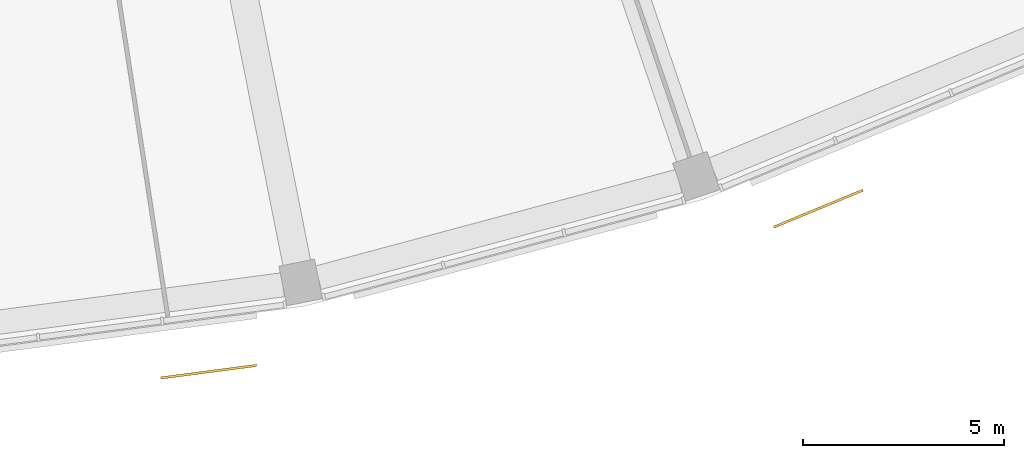
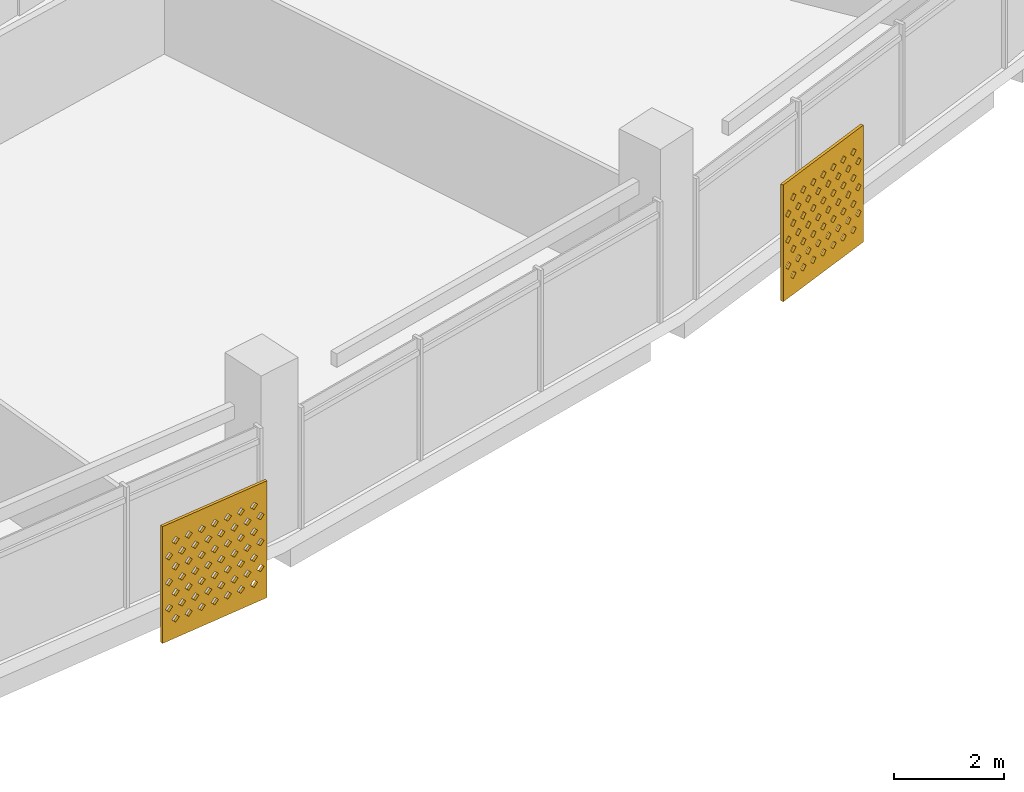
# One storey, part 26 of 28: 2 shading devices.
"""IFC4 building model written with IfcOpenShell, lengths in metres."""

from ifc_helpers import new_model, si_unit, direction, frame, origin, place, context, subcontext, project, spatial, polyline, outline, extrude, material, material_profile, profile_set, type_object, element, save


model = new_model("IFC4")

# Units and contexts
model_context = context("Model", 3, precision=1e-05, world=origin(), true_north=direction((0.0, 1.0)))
body_context = subcontext(model_context, "Body", "Model", "MODEL_VIEW")
ifc_project = project(units=[si_unit("LENGTHUNIT", "METRE"), si_unit("AREAUNIT", "SQUARE_METRE"), si_unit("VOLUMEUNIT", "CUBIC_METRE"), si_unit("PLANEANGLEUNIT", "RADIAN"), si_unit("MASSUNIT", "GRAM", prefix="KILO")], contexts=[model_context])

# Site, building, storey
site_placement = place(None, origin())
site = spatial("IfcSite", under=ifc_project, at=site_placement, CompositionType="ELEMENT")
building_placement = place(site_placement, origin())
building = spatial("IfcBuilding", under=site, at=building_placement, Name="Qamariyya Broadcast Tower", CompositionType="ELEMENT")
storey_placement = place(building_placement, frame((0.0, 0.0, 277.10009765625)))
storey = spatial("IfcBuildingStorey", under=building, at=storey_placement, Name="L67", CompositionType="ELEMENT", Elevation=277.10009765625)

# Shading devices
ifc_material = material(Name="Perforated glazed terracotta", Category="masonry")
ifc_material_profile = material_profile(ifc_material, outline(polyline([(-1.199951171875, -1.300048828125), (1.199951171875, -1.300048828125), (1.199951171875, 1.300048828125), (-1.199951171875, 1.300048828125), (-1.199951171875, -1.300048828125)]), holes=[polyline([(-0.81494140625, -0.86669921875), (-0.89990234375, -0.78173828125), (-0.985107421875, -0.86669921875), (-0.89990234375, -0.95166015625), (-0.81494140625, -0.86669921875)]), polyline([(-0.514892578125, -0.86669921875), (-0.60009765625, -0.78173828125), (-0.68505859375, -0.86669921875), (-0.60009765625, -0.95166015625), (-0.514892578125, -0.86669921875)]), polyline([(-0.215087890625, -0.86669921875), (-0.300048828125, -0.78173828125), (-0.385009765625, -0.86669921875), (-0.300048828125, -0.95166015625), (-0.215087890625, -0.86669921875)]), polyline([(0.0849609375, -0.86669921875), (0.0, -0.78173828125), (-0.0849609375, -0.86669921875), (0.0, -0.95166015625), (0.0849609375, -0.86669921875)]), polyline([(0.385009765625, -0.86669921875), (0.300048828125, -0.78173828125), (0.215087890625, -0.86669921875), (0.300048828125, -0.95166015625), (0.385009765625, -0.86669921875)]), polyline([(0.68505859375, -0.86669921875), (0.60009765625, -0.78173828125), (0.514892578125, -0.86669921875), (0.60009765625, -0.95166015625), (0.68505859375, -0.86669921875)]), polyline([(0.985107421875, -0.86669921875), (0.89990234375, -0.78173828125), (0.81494140625, -0.86669921875), (0.89990234375, -0.95166015625), (0.985107421875, -0.86669921875)]), polyline([(-0.965087890625, -0.577880859375), (-1.050048828125, -0.49267578125), (-1.135009765625, -0.577880859375), (-1.050048828125, -0.662841796875), (-0.965087890625, -0.577880859375)]), polyline([(-0.6650390625, -0.577880859375), (-0.75, -0.49267578125), (-0.8349609375, -0.577880859375), (-0.75, -0.662841796875), (-0.6650390625, -0.577880859375)]), polyline([(-0.364990234375, -0.577880859375), (-0.449951171875, -0.49267578125), (-0.534912109375, -0.577880859375), (-0.449951171875, -0.662841796875), (-0.364990234375, -0.577880859375)]), polyline([(-0.06494140625, -0.577880859375), (-0.14990234375, -0.49267578125), (-0.235107421875, -0.577880859375), (-0.14990234375, -0.662841796875), (-0.06494140625, -0.577880859375)]), polyline([(0.235107421875, -0.577880859375), (0.14990234375, -0.49267578125), (0.06494140625, -0.577880859375), (0.14990234375, -0.662841796875), (0.235107421875, -0.577880859375)]), polyline([(0.534912109375, -0.577880859375), (0.449951171875, -0.49267578125), (0.364990234375, -0.577880859375), (0.449951171875, -0.662841796875), (0.534912109375, -0.577880859375)]), polyline([(0.8349609375, -0.577880859375), (0.75, -0.49267578125), (0.6650390625, -0.577880859375), (0.75, -0.662841796875), (0.8349609375, -0.577880859375)]), polyline([(1.135009765625, -0.577880859375), (1.050048828125, -0.49267578125), (0.965087890625, -0.577880859375), (1.050048828125, -0.662841796875), (1.135009765625, -0.577880859375)]), polyline([(-0.81494140625, -0.288818359375), (-0.89990234375, -0.203857421875), (-0.985107421875, -0.288818359375), (-0.89990234375, -0.373779296875), (-0.81494140625, -0.288818359375)]), polyline([(-0.514892578125, -0.288818359375), (-0.60009765625, -0.203857421875), (-0.68505859375, -0.288818359375), (-0.60009765625, -0.373779296875), (-0.514892578125, -0.288818359375)]), polyline([(-0.215087890625, -0.288818359375), (-0.300048828125, -0.203857421875), (-0.385009765625, -0.288818359375), (-0.300048828125, -0.373779296875), (-0.215087890625, -0.288818359375)]), polyline([(0.0849609375, -0.288818359375), (0.0, -0.203857421875), (-0.0849609375, -0.288818359375), (0.0, -0.373779296875), (0.0849609375, -0.288818359375)]), polyline([(0.385009765625, -0.288818359375), (0.300048828125, -0.203857421875), (0.215087890625, -0.288818359375), (0.300048828125, -0.373779296875), (0.385009765625, -0.288818359375)]), polyline([(0.68505859375, -0.288818359375), (0.60009765625, -0.203857421875), (0.514892578125, -0.288818359375), (0.60009765625, -0.373779296875), (0.68505859375, -0.288818359375)]), polyline([(0.985107421875, -0.288818359375), (0.89990234375, -0.203857421875), (0.81494140625, -0.288818359375), (0.89990234375, -0.373779296875), (0.985107421875, -0.288818359375)]), polyline([(-0.965087890625, 0.0), (-1.050048828125, 0.0849609375), (-1.135009765625, 0.0), (-1.050048828125, -0.0849609375), (-0.965087890625, 0.0)]), polyline([(-0.6650390625, 0.0), (-0.75, 0.0849609375), (-0.8349609375, 0.0), (-0.75, -0.0849609375), (-0.6650390625, 0.0)]), polyline([(-0.364990234375, 0.0), (-0.449951171875, 0.0849609375), (-0.534912109375, 0.0), (-0.449951171875, -0.0849609375), (-0.364990234375, 0.0)]), polyline([(-0.06494140625, 0.0), (-0.14990234375, 0.0849609375), (-0.235107421875, 0.0), (-0.14990234375, -0.0849609375), (-0.06494140625, 0.0)]), polyline([(0.235107421875, 0.0), (0.14990234375, 0.0849609375), (0.06494140625, 0.0), (0.14990234375, -0.0849609375), (0.235107421875, 0.0)]), polyline([(0.534912109375, 0.0), (0.449951171875, 0.0849609375), (0.364990234375, 0.0), (0.449951171875, -0.0849609375), (0.534912109375, 0.0)]), polyline([(0.8349609375, 0.0), (0.75, 0.0849609375), (0.6650390625, 0.0), (0.75, -0.0849609375), (0.8349609375, 0.0)]), polyline([(1.135009765625, 0.0), (1.050048828125, 0.0849609375), (0.965087890625, 0.0), (1.050048828125, -0.0849609375), (1.135009765625, 0.0)]), polyline([(-0.81494140625, 0.288818359375), (-0.89990234375, 0.373779296875), (-0.985107421875, 0.288818359375), (-0.89990234375, 0.203857421875), (-0.81494140625, 0.288818359375)]), polyline([(-0.514892578125, 0.288818359375), (-0.60009765625, 0.373779296875), (-0.68505859375, 0.288818359375), (-0.60009765625, 0.203857421875), (-0.514892578125, 0.288818359375)]), polyline([(-0.215087890625, 0.288818359375), (-0.300048828125, 0.373779296875), (-0.385009765625, 0.288818359375), (-0.300048828125, 0.203857421875), (-0.215087890625, 0.288818359375)]), polyline([(0.0849609375, 0.288818359375), (0.0, 0.373779296875), (-0.0849609375, 0.288818359375), (0.0, 0.203857421875), (0.0849609375, 0.288818359375)]), polyline([(0.385009765625, 0.288818359375), (0.300048828125, 0.373779296875), (0.215087890625, 0.288818359375), (0.300048828125, 0.203857421875), (0.385009765625, 0.288818359375)]), polyline([(0.68505859375, 0.288818359375), (0.60009765625, 0.373779296875), (0.514892578125, 0.288818359375), (0.60009765625, 0.203857421875), (0.68505859375, 0.288818359375)]), polyline([(0.985107421875, 0.288818359375), (0.89990234375, 0.373779296875), (0.81494140625, 0.288818359375), (0.89990234375, 0.203857421875), (0.985107421875, 0.288818359375)]), polyline([(-0.965087890625, 0.577880859375), (-1.050048828125, 0.662841796875), (-1.135009765625, 0.577880859375), (-1.050048828125, 0.49267578125), (-0.965087890625, 0.577880859375)]), polyline([(-0.6650390625, 0.577880859375), (-0.75, 0.662841796875), (-0.8349609375, 0.577880859375), (-0.75, 0.49267578125), (-0.6650390625, 0.577880859375)]), polyline([(-0.364990234375, 0.577880859375), (-0.449951171875, 0.662841796875), (-0.534912109375, 0.577880859375), (-0.449951171875, 0.49267578125), (-0.364990234375, 0.577880859375)]), polyline([(-0.06494140625, 0.577880859375), (-0.14990234375, 0.662841796875), (-0.235107421875, 0.577880859375), (-0.14990234375, 0.49267578125), (-0.06494140625, 0.577880859375)]), polyline([(0.235107421875, 0.577880859375), (0.14990234375, 0.662841796875), (0.06494140625, 0.577880859375), (0.14990234375, 0.49267578125), (0.235107421875, 0.577880859375)]), polyline([(0.534912109375, 0.577880859375), (0.449951171875, 0.662841796875), (0.364990234375, 0.577880859375), (0.449951171875, 0.49267578125), (0.534912109375, 0.577880859375)]), polyline([(0.8349609375, 0.577880859375), (0.75, 0.662841796875), (0.6650390625, 0.577880859375), (0.75, 0.49267578125), (0.8349609375, 0.577880859375)]), polyline([(1.135009765625, 0.577880859375), (1.050048828125, 0.662841796875), (0.965087890625, 0.577880859375), (1.050048828125, 0.49267578125), (1.135009765625, 0.577880859375)]), polyline([(-0.81494140625, 0.86669921875), (-0.89990234375, 0.95166015625), (-0.985107421875, 0.86669921875), (-0.89990234375, 0.78173828125), (-0.81494140625, 0.86669921875)]), polyline([(-0.514892578125, 0.86669921875), (-0.60009765625, 0.95166015625), (-0.68505859375, 0.86669921875), (-0.60009765625, 0.78173828125), (-0.514892578125, 0.86669921875)]), polyline([(-0.215087890625, 0.86669921875), (-0.300048828125, 0.95166015625), (-0.385009765625, 0.86669921875), (-0.300048828125, 0.78173828125), (-0.215087890625, 0.86669921875)]), polyline([(0.0849609375, 0.86669921875), (0.0, 0.95166015625), (-0.0849609375, 0.86669921875), (0.0, 0.78173828125), (0.0849609375, 0.86669921875)]), polyline([(0.385009765625, 0.86669921875), (0.300048828125, 0.95166015625), (0.215087890625, 0.86669921875), (0.300048828125, 0.78173828125), (0.385009765625, 0.86669921875)]), polyline([(0.68505859375, 0.86669921875), (0.60009765625, 0.95166015625), (0.514892578125, 0.86669921875), (0.60009765625, 0.78173828125), (0.68505859375, 0.86669921875)]), polyline([(0.985107421875, 0.86669921875), (0.89990234375, 0.95166015625), (0.81494140625, 0.86669921875), (0.89990234375, 0.78173828125), (0.985107421875, 0.86669921875)])]))
ifc_profile_set = profile_set([ifc_material_profile], Name="Perforated glazed terracotta")
shading_device_type = type_object("IfcShadingDeviceType", Name="Perforated terracotta screen 2400 x 2600", PredefinedType="USERDEFINED", material=ifc_profile_set)
shading_device_1_placement = place(storey_placement, frame((12.880126953125, -78.442138671875, 1.349853515625), z_axis=(0.1300340368, -0.991509530601, 0.0), x_axis=(0.991509530601, 0.1300340368, 0.0)))
element("IfcShadingDevice", 1, at=shading_device_1_placement, inside=storey, type_object=shading_device_type, Name="e-scr-L67-08-2", ObjectType="SCREEN", PredefinedType="USERDEFINED", context=body_context, shape_type="SweptSolid", body=[
    extrude(outline(polyline([(-1.199951171875, -1.300048828125), (1.199951171875, -1.300048828125), (1.199951171875, 1.300048828125), (-1.199951171875, 1.300048828125), (-1.199951171875, -1.300048828125)]), holes=[polyline([(-0.81494140625, -0.86669921875), (-0.89990234375, -0.78173828125), (-0.985107421875, -0.86669921875), (-0.89990234375, -0.95166015625), (-0.81494140625, -0.86669921875)]), polyline([(-0.514892578125, -0.86669921875), (-0.60009765625, -0.78173828125), (-0.68505859375, -0.86669921875), (-0.60009765625, -0.95166015625), (-0.514892578125, -0.86669921875)]), polyline([(-0.215087890625, -0.86669921875), (-0.300048828125, -0.78173828125), (-0.385009765625, -0.86669921875), (-0.300048828125, -0.95166015625), (-0.215087890625, -0.86669921875)]), polyline([(0.0849609375, -0.86669921875), (0.0, -0.78173828125), (-0.0849609375, -0.86669921875), (0.0, -0.95166015625), (0.0849609375, -0.86669921875)]), polyline([(0.385009765625, -0.86669921875), (0.300048828125, -0.78173828125), (0.215087890625, -0.86669921875), (0.300048828125, -0.95166015625), (0.385009765625, -0.86669921875)]), polyline([(0.68505859375, -0.86669921875), (0.60009765625, -0.78173828125), (0.514892578125, -0.86669921875), (0.60009765625, -0.95166015625), (0.68505859375, -0.86669921875)]), polyline([(0.985107421875, -0.86669921875), (0.89990234375, -0.78173828125), (0.81494140625, -0.86669921875), (0.89990234375, -0.95166015625), (0.985107421875, -0.86669921875)]), polyline([(-0.965087890625, -0.577880859375), (-1.050048828125, -0.49267578125), (-1.135009765625, -0.577880859375), (-1.050048828125, -0.662841796875), (-0.965087890625, -0.577880859375)]), polyline([(-0.6650390625, -0.577880859375), (-0.75, -0.49267578125), (-0.8349609375, -0.577880859375), (-0.75, -0.662841796875), (-0.6650390625, -0.577880859375)]), polyline([(-0.364990234375, -0.577880859375), (-0.449951171875, -0.49267578125), (-0.534912109375, -0.577880859375), (-0.449951171875, -0.662841796875), (-0.364990234375, -0.577880859375)]), polyline([(-0.06494140625, -0.577880859375), (-0.14990234375, -0.49267578125), (-0.235107421875, -0.577880859375), (-0.14990234375, -0.662841796875), (-0.06494140625, -0.577880859375)]), polyline([(0.235107421875, -0.577880859375), (0.14990234375, -0.49267578125), (0.06494140625, -0.577880859375), (0.14990234375, -0.662841796875), (0.235107421875, -0.577880859375)]), polyline([(0.534912109375, -0.577880859375), (0.449951171875, -0.49267578125), (0.364990234375, -0.577880859375), (0.449951171875, -0.662841796875), (0.534912109375, -0.577880859375)]), polyline([(0.8349609375, -0.577880859375), (0.75, -0.49267578125), (0.6650390625, -0.577880859375), (0.75, -0.662841796875), (0.8349609375, -0.577880859375)]), polyline([(1.135009765625, -0.577880859375), (1.050048828125, -0.49267578125), (0.965087890625, -0.577880859375), (1.050048828125, -0.662841796875), (1.135009765625, -0.577880859375)]), polyline([(-0.81494140625, -0.288818359375), (-0.89990234375, -0.203857421875), (-0.985107421875, -0.288818359375), (-0.89990234375, -0.373779296875), (-0.81494140625, -0.288818359375)]), polyline([(-0.514892578125, -0.288818359375), (-0.60009765625, -0.203857421875), (-0.68505859375, -0.288818359375), (-0.60009765625, -0.373779296875), (-0.514892578125, -0.288818359375)]), polyline([(-0.215087890625, -0.288818359375), (-0.300048828125, -0.203857421875), (-0.385009765625, -0.288818359375), (-0.300048828125, -0.373779296875), (-0.215087890625, -0.288818359375)]), polyline([(0.0849609375, -0.288818359375), (0.0, -0.203857421875), (-0.0849609375, -0.288818359375), (0.0, -0.373779296875), (0.0849609375, -0.288818359375)]), polyline([(0.385009765625, -0.288818359375), (0.300048828125, -0.203857421875), (0.215087890625, -0.288818359375), (0.300048828125, -0.373779296875), (0.385009765625, -0.288818359375)]), polyline([(0.68505859375, -0.288818359375), (0.60009765625, -0.203857421875), (0.514892578125, -0.288818359375), (0.60009765625, -0.373779296875), (0.68505859375, -0.288818359375)]), polyline([(0.985107421875, -0.288818359375), (0.89990234375, -0.203857421875), (0.81494140625, -0.288818359375), (0.89990234375, -0.373779296875), (0.985107421875, -0.288818359375)]), polyline([(-0.965087890625, 0.0), (-1.050048828125, 0.0849609375), (-1.135009765625, 0.0), (-1.050048828125, -0.0849609375), (-0.965087890625, 0.0)]), polyline([(-0.6650390625, 0.0), (-0.75, 0.0849609375), (-0.8349609375, 0.0), (-0.75, -0.0849609375), (-0.6650390625, 0.0)]), polyline([(-0.364990234375, 0.0), (-0.449951171875, 0.0849609375), (-0.534912109375, 0.0), (-0.449951171875, -0.0849609375), (-0.364990234375, 0.0)]), polyline([(-0.06494140625, 0.0), (-0.14990234375, 0.0849609375), (-0.235107421875, 0.0), (-0.14990234375, -0.0849609375), (-0.06494140625, 0.0)]), polyline([(0.235107421875, 0.0), (0.14990234375, 0.0849609375), (0.06494140625, 0.0), (0.14990234375, -0.0849609375), (0.235107421875, 0.0)]), polyline([(0.534912109375, 0.0), (0.449951171875, 0.0849609375), (0.364990234375, 0.0), (0.449951171875, -0.0849609375), (0.534912109375, 0.0)]), polyline([(0.8349609375, 0.0), (0.75, 0.0849609375), (0.6650390625, 0.0), (0.75, -0.0849609375), (0.8349609375, 0.0)]), polyline([(1.135009765625, 0.0), (1.050048828125, 0.0849609375), (0.965087890625, 0.0), (1.050048828125, -0.0849609375), (1.135009765625, 0.0)]), polyline([(-0.81494140625, 0.288818359375), (-0.89990234375, 0.373779296875), (-0.985107421875, 0.288818359375), (-0.89990234375, 0.203857421875), (-0.81494140625, 0.288818359375)]), polyline([(-0.514892578125, 0.288818359375), (-0.60009765625, 0.373779296875), (-0.68505859375, 0.288818359375), (-0.60009765625, 0.203857421875), (-0.514892578125, 0.288818359375)]), polyline([(-0.215087890625, 0.288818359375), (-0.300048828125, 0.373779296875), (-0.385009765625, 0.288818359375), (-0.300048828125, 0.203857421875), (-0.215087890625, 0.288818359375)]), polyline([(0.0849609375, 0.288818359375), (0.0, 0.373779296875), (-0.0849609375, 0.288818359375), (0.0, 0.203857421875), (0.0849609375, 0.288818359375)]), polyline([(0.385009765625, 0.288818359375), (0.300048828125, 0.373779296875), (0.215087890625, 0.288818359375), (0.300048828125, 0.203857421875), (0.385009765625, 0.288818359375)]), polyline([(0.68505859375, 0.288818359375), (0.60009765625, 0.373779296875), (0.514892578125, 0.288818359375), (0.60009765625, 0.203857421875), (0.68505859375, 0.288818359375)]), polyline([(0.985107421875, 0.288818359375), (0.89990234375, 0.373779296875), (0.81494140625, 0.288818359375), (0.89990234375, 0.203857421875), (0.985107421875, 0.288818359375)]), polyline([(-0.965087890625, 0.577880859375), (-1.050048828125, 0.662841796875), (-1.135009765625, 0.577880859375), (-1.050048828125, 0.49267578125), (-0.965087890625, 0.577880859375)]), polyline([(-0.6650390625, 0.577880859375), (-0.75, 0.662841796875), (-0.8349609375, 0.577880859375), (-0.75, 0.49267578125), (-0.6650390625, 0.577880859375)]), polyline([(-0.364990234375, 0.577880859375), (-0.449951171875, 0.662841796875), (-0.534912109375, 0.577880859375), (-0.449951171875, 0.49267578125), (-0.364990234375, 0.577880859375)]), polyline([(-0.06494140625, 0.577880859375), (-0.14990234375, 0.662841796875), (-0.235107421875, 0.577880859375), (-0.14990234375, 0.49267578125), (-0.06494140625, 0.577880859375)]), polyline([(0.235107421875, 0.577880859375), (0.14990234375, 0.662841796875), (0.06494140625, 0.577880859375), (0.14990234375, 0.49267578125), (0.235107421875, 0.577880859375)]), polyline([(0.534912109375, 0.577880859375), (0.449951171875, 0.662841796875), (0.364990234375, 0.577880859375), (0.449951171875, 0.49267578125), (0.534912109375, 0.577880859375)]), polyline([(0.8349609375, 0.577880859375), (0.75, 0.662841796875), (0.6650390625, 0.577880859375), (0.75, 0.49267578125), (0.8349609375, 0.577880859375)]), polyline([(1.135009765625, 0.577880859375), (1.050048828125, 0.662841796875), (0.965087890625, 0.577880859375), (1.050048828125, 0.49267578125), (1.135009765625, 0.577880859375)]), polyline([(-0.81494140625, 0.86669921875), (-0.89990234375, 0.95166015625), (-0.985107421875, 0.86669921875), (-0.89990234375, 0.78173828125), (-0.81494140625, 0.86669921875)]), polyline([(-0.514892578125, 0.86669921875), (-0.60009765625, 0.95166015625), (-0.68505859375, 0.86669921875), (-0.60009765625, 0.78173828125), (-0.514892578125, 0.86669921875)]), polyline([(-0.215087890625, 0.86669921875), (-0.300048828125, 0.95166015625), (-0.385009765625, 0.86669921875), (-0.300048828125, 0.78173828125), (-0.215087890625, 0.86669921875)]), polyline([(0.0849609375, 0.86669921875), (0.0, 0.95166015625), (-0.0849609375, 0.86669921875), (0.0, 0.78173828125), (0.0849609375, 0.86669921875)]), polyline([(0.385009765625, 0.86669921875), (0.300048828125, 0.95166015625), (0.215087890625, 0.86669921875), (0.300048828125, 0.78173828125), (0.385009765625, 0.86669921875)]), polyline([(0.68505859375, 0.86669921875), (0.60009765625, 0.95166015625), (0.514892578125, 0.86669921875), (0.60009765625, 0.78173828125), (0.68505859375, 0.86669921875)]), polyline([(0.985107421875, 0.86669921875), (0.89990234375, 0.95166015625), (0.81494140625, 0.86669921875), (0.89990234375, 0.78173828125), (0.985107421875, 0.86669921875)])]), origin(), (0.0, 0.0, 1.0), 0.06005859375),
])
shading_device_2_placement = place(storey_placement, frame((28.00927734375, -74.396728515625, 1.349853515625), z_axis=(0.382591441855, -0.923917630863, 0.0), x_axis=(0.923917630863, 0.382591441855, 0.0)))
element("IfcShadingDevice", 2, at=shading_device_2_placement, inside=storey, type_object=shading_device_type, Name="e-scr-L67-10-0", ObjectType="SCREEN", PredefinedType="USERDEFINED", context=body_context, shape_type="SweptSolid", body=[
    extrude(outline(polyline([(-1.199951171875, -1.300048828125), (1.199951171875, -1.300048828125), (1.199951171875, 1.300048828125), (-1.199951171875, 1.300048828125), (-1.199951171875, -1.300048828125)]), holes=[polyline([(-0.81494140625, -0.86669921875), (-0.89990234375, -0.78173828125), (-0.985107421875, -0.86669921875), (-0.89990234375, -0.95166015625), (-0.81494140625, -0.86669921875)]), polyline([(-0.514892578125, -0.86669921875), (-0.60009765625, -0.78173828125), (-0.68505859375, -0.86669921875), (-0.60009765625, -0.95166015625), (-0.514892578125, -0.86669921875)]), polyline([(-0.215087890625, -0.86669921875), (-0.300048828125, -0.78173828125), (-0.385009765625, -0.86669921875), (-0.300048828125, -0.95166015625), (-0.215087890625, -0.86669921875)]), polyline([(0.0849609375, -0.86669921875), (0.0, -0.78173828125), (-0.0849609375, -0.86669921875), (0.0, -0.95166015625), (0.0849609375, -0.86669921875)]), polyline([(0.385009765625, -0.86669921875), (0.300048828125, -0.78173828125), (0.215087890625, -0.86669921875), (0.300048828125, -0.95166015625), (0.385009765625, -0.86669921875)]), polyline([(0.68505859375, -0.86669921875), (0.60009765625, -0.78173828125), (0.514892578125, -0.86669921875), (0.60009765625, -0.95166015625), (0.68505859375, -0.86669921875)]), polyline([(0.985107421875, -0.86669921875), (0.89990234375, -0.78173828125), (0.81494140625, -0.86669921875), (0.89990234375, -0.95166015625), (0.985107421875, -0.86669921875)]), polyline([(-0.965087890625, -0.577880859375), (-1.050048828125, -0.49267578125), (-1.135009765625, -0.577880859375), (-1.050048828125, -0.662841796875), (-0.965087890625, -0.577880859375)]), polyline([(-0.6650390625, -0.577880859375), (-0.75, -0.49267578125), (-0.8349609375, -0.577880859375), (-0.75, -0.662841796875), (-0.6650390625, -0.577880859375)]), polyline([(-0.364990234375, -0.577880859375), (-0.449951171875, -0.49267578125), (-0.534912109375, -0.577880859375), (-0.449951171875, -0.662841796875), (-0.364990234375, -0.577880859375)]), polyline([(-0.06494140625, -0.577880859375), (-0.14990234375, -0.49267578125), (-0.235107421875, -0.577880859375), (-0.14990234375, -0.662841796875), (-0.06494140625, -0.577880859375)]), polyline([(0.235107421875, -0.577880859375), (0.14990234375, -0.49267578125), (0.06494140625, -0.577880859375), (0.14990234375, -0.662841796875), (0.235107421875, -0.577880859375)]), polyline([(0.534912109375, -0.577880859375), (0.449951171875, -0.49267578125), (0.364990234375, -0.577880859375), (0.449951171875, -0.662841796875), (0.534912109375, -0.577880859375)]), polyline([(0.8349609375, -0.577880859375), (0.75, -0.49267578125), (0.6650390625, -0.577880859375), (0.75, -0.662841796875), (0.8349609375, -0.577880859375)]), polyline([(1.135009765625, -0.577880859375), (1.050048828125, -0.49267578125), (0.965087890625, -0.577880859375), (1.050048828125, -0.662841796875), (1.135009765625, -0.577880859375)]), polyline([(-0.81494140625, -0.288818359375), (-0.89990234375, -0.203857421875), (-0.985107421875, -0.288818359375), (-0.89990234375, -0.373779296875), (-0.81494140625, -0.288818359375)]), polyline([(-0.514892578125, -0.288818359375), (-0.60009765625, -0.203857421875), (-0.68505859375, -0.288818359375), (-0.60009765625, -0.373779296875), (-0.514892578125, -0.288818359375)]), polyline([(-0.215087890625, -0.288818359375), (-0.300048828125, -0.203857421875), (-0.385009765625, -0.288818359375), (-0.300048828125, -0.373779296875), (-0.215087890625, -0.288818359375)]), polyline([(0.0849609375, -0.288818359375), (0.0, -0.203857421875), (-0.0849609375, -0.288818359375), (0.0, -0.373779296875), (0.0849609375, -0.288818359375)]), polyline([(0.385009765625, -0.288818359375), (0.300048828125, -0.203857421875), (0.215087890625, -0.288818359375), (0.300048828125, -0.373779296875), (0.385009765625, -0.288818359375)]), polyline([(0.68505859375, -0.288818359375), (0.60009765625, -0.203857421875), (0.514892578125, -0.288818359375), (0.60009765625, -0.373779296875), (0.68505859375, -0.288818359375)]), polyline([(0.985107421875, -0.288818359375), (0.89990234375, -0.203857421875), (0.81494140625, -0.288818359375), (0.89990234375, -0.373779296875), (0.985107421875, -0.288818359375)]), polyline([(-0.965087890625, 0.0), (-1.050048828125, 0.0849609375), (-1.135009765625, 0.0), (-1.050048828125, -0.0849609375), (-0.965087890625, 0.0)]), polyline([(-0.6650390625, 0.0), (-0.75, 0.0849609375), (-0.8349609375, 0.0), (-0.75, -0.0849609375), (-0.6650390625, 0.0)]), polyline([(-0.364990234375, 0.0), (-0.449951171875, 0.0849609375), (-0.534912109375, 0.0), (-0.449951171875, -0.0849609375), (-0.364990234375, 0.0)]), polyline([(-0.06494140625, 0.0), (-0.14990234375, 0.0849609375), (-0.235107421875, 0.0), (-0.14990234375, -0.0849609375), (-0.06494140625, 0.0)]), polyline([(0.235107421875, 0.0), (0.14990234375, 0.0849609375), (0.06494140625, 0.0), (0.14990234375, -0.0849609375), (0.235107421875, 0.0)]), polyline([(0.534912109375, 0.0), (0.449951171875, 0.0849609375), (0.364990234375, 0.0), (0.449951171875, -0.0849609375), (0.534912109375, 0.0)]), polyline([(0.8349609375, 0.0), (0.75, 0.0849609375), (0.6650390625, 0.0), (0.75, -0.0849609375), (0.8349609375, 0.0)]), polyline([(1.135009765625, 0.0), (1.050048828125, 0.0849609375), (0.965087890625, 0.0), (1.050048828125, -0.0849609375), (1.135009765625, 0.0)]), polyline([(-0.81494140625, 0.288818359375), (-0.89990234375, 0.373779296875), (-0.985107421875, 0.288818359375), (-0.89990234375, 0.203857421875), (-0.81494140625, 0.288818359375)]), polyline([(-0.514892578125, 0.288818359375), (-0.60009765625, 0.373779296875), (-0.68505859375, 0.288818359375), (-0.60009765625, 0.203857421875), (-0.514892578125, 0.288818359375)]), polyline([(-0.215087890625, 0.288818359375), (-0.300048828125, 0.373779296875), (-0.385009765625, 0.288818359375), (-0.300048828125, 0.203857421875), (-0.215087890625, 0.288818359375)]), polyline([(0.0849609375, 0.288818359375), (0.0, 0.373779296875), (-0.0849609375, 0.288818359375), (0.0, 0.203857421875), (0.0849609375, 0.288818359375)]), polyline([(0.385009765625, 0.288818359375), (0.300048828125, 0.373779296875), (0.215087890625, 0.288818359375), (0.300048828125, 0.203857421875), (0.385009765625, 0.288818359375)]), polyline([(0.68505859375, 0.288818359375), (0.60009765625, 0.373779296875), (0.514892578125, 0.288818359375), (0.60009765625, 0.203857421875), (0.68505859375, 0.288818359375)]), polyline([(0.985107421875, 0.288818359375), (0.89990234375, 0.373779296875), (0.81494140625, 0.288818359375), (0.89990234375, 0.203857421875), (0.985107421875, 0.288818359375)]), polyline([(-0.965087890625, 0.577880859375), (-1.050048828125, 0.662841796875), (-1.135009765625, 0.577880859375), (-1.050048828125, 0.49267578125), (-0.965087890625, 0.577880859375)]), polyline([(-0.6650390625, 0.577880859375), (-0.75, 0.662841796875), (-0.8349609375, 0.577880859375), (-0.75, 0.49267578125), (-0.6650390625, 0.577880859375)]), polyline([(-0.364990234375, 0.577880859375), (-0.449951171875, 0.662841796875), (-0.534912109375, 0.577880859375), (-0.449951171875, 0.49267578125), (-0.364990234375, 0.577880859375)]), polyline([(-0.06494140625, 0.577880859375), (-0.14990234375, 0.662841796875), (-0.235107421875, 0.577880859375), (-0.14990234375, 0.49267578125), (-0.06494140625, 0.577880859375)]), polyline([(0.235107421875, 0.577880859375), (0.14990234375, 0.662841796875), (0.06494140625, 0.577880859375), (0.14990234375, 0.49267578125), (0.235107421875, 0.577880859375)]), polyline([(0.534912109375, 0.577880859375), (0.449951171875, 0.662841796875), (0.364990234375, 0.577880859375), (0.449951171875, 0.49267578125), (0.534912109375, 0.577880859375)]), polyline([(0.8349609375, 0.577880859375), (0.75, 0.662841796875), (0.6650390625, 0.577880859375), (0.75, 0.49267578125), (0.8349609375, 0.577880859375)]), polyline([(1.135009765625, 0.577880859375), (1.050048828125, 0.662841796875), (0.965087890625, 0.577880859375), (1.050048828125, 0.49267578125), (1.135009765625, 0.577880859375)]), polyline([(-0.81494140625, 0.86669921875), (-0.89990234375, 0.95166015625), (-0.985107421875, 0.86669921875), (-0.89990234375, 0.78173828125), (-0.81494140625, 0.86669921875)]), polyline([(-0.514892578125, 0.86669921875), (-0.60009765625, 0.95166015625), (-0.68505859375, 0.86669921875), (-0.60009765625, 0.78173828125), (-0.514892578125, 0.86669921875)]), polyline([(-0.215087890625, 0.86669921875), (-0.300048828125, 0.95166015625), (-0.385009765625, 0.86669921875), (-0.300048828125, 0.78173828125), (-0.215087890625, 0.86669921875)]), polyline([(0.0849609375, 0.86669921875), (0.0, 0.95166015625), (-0.0849609375, 0.86669921875), (0.0, 0.78173828125), (0.0849609375, 0.86669921875)]), polyline([(0.385009765625, 0.86669921875), (0.300048828125, 0.95166015625), (0.215087890625, 0.86669921875), (0.300048828125, 0.78173828125), (0.385009765625, 0.86669921875)]), polyline([(0.68505859375, 0.86669921875), (0.60009765625, 0.95166015625), (0.514892578125, 0.86669921875), (0.60009765625, 0.78173828125), (0.68505859375, 0.86669921875)]), polyline([(0.985107421875, 0.86669921875), (0.89990234375, 0.95166015625), (0.81494140625, 0.86669921875), (0.89990234375, 0.78173828125), (0.985107421875, 0.86669921875)])]), origin(), (0.0, 0.0, 1.0), 0.06005859375),
])

save(model, "model.ifc")
